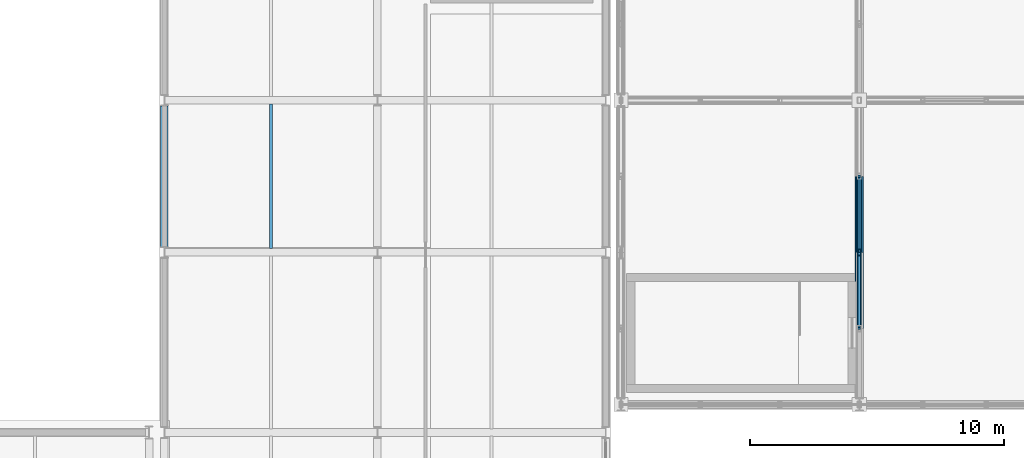
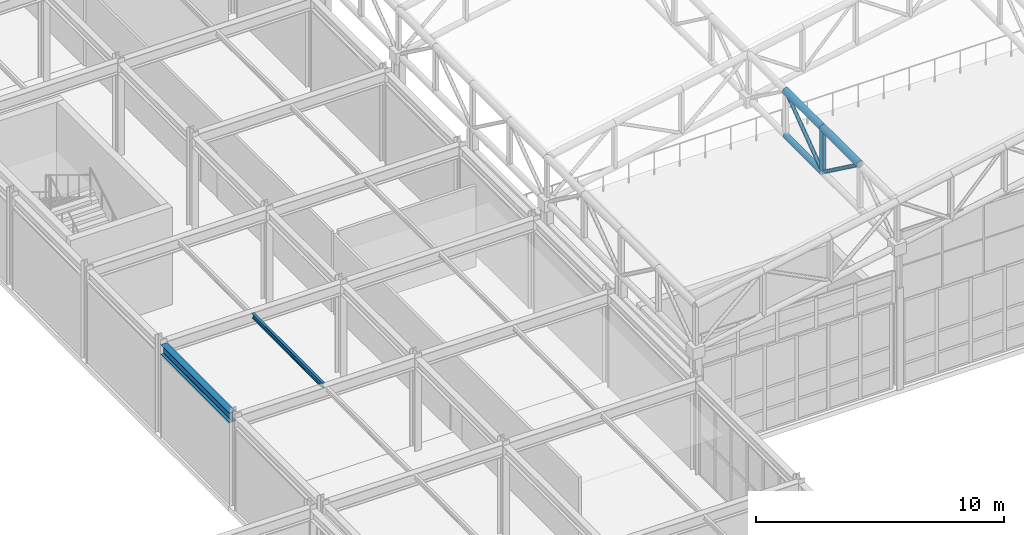
# One storey, part 45 of 112: 6 members, 2 beams.
"""IFC4 building model written with IfcOpenShell, lengths in metres."""

from ifc_helpers import new_model, si_unit, direction, frame, origin, origin_2d, place, context, subcontext, project, spatial, hollow_rectangle, hollow_circle, i_section, extrude, material, material_profile, profile_set, type_object, element, save


model = new_model("IFC4")

# Units and contexts
model_context = context("Model", 3, precision=1e-05, world=origin(), true_north=direction((0.0, 1.0)))
body_context = subcontext(model_context, "Body", "Model", "MODEL_VIEW")
ifc_project = project(units=[si_unit("LENGTHUNIT", "METRE"), si_unit("AREAUNIT", "SQUARE_METRE"), si_unit("VOLUMEUNIT", "CUBIC_METRE"), si_unit("PLANEANGLEUNIT", "RADIAN"), si_unit("MASSUNIT", "GRAM", prefix="KILO")], contexts=[model_context])

# Site, building, storey
site_placement = place(None, origin())
site = spatial("IfcSite", under=ifc_project, at=site_placement, CompositionType="ELEMENT")
building_placement = place(site_placement, origin())
building = spatial("IfcBuilding", under=site, at=building_placement, Name="Kaldris Quays Convention Centre", CompositionType="ELEMENT")
storey_placement = place(building_placement, frame((0.0, 0.0, 16.800048828125)))
storey = spatial("IfcBuildingStorey", under=building, at=storey_placement, Name="L03", CompositionType="ELEMENT", Elevation=16.800048828125)

# Beams
ifc_material_1 = material(Name="Steel S355J2", Category="steel")
ifc_material_profile_1 = material_profile(ifc_material_1, i_section(OverallWidth=0.300048828125, OverallDepth=0.489990234375, WebThickness=0.011962890625, FlangeThickness=0.02294921875, FilletRadius=0.027099609375, at=origin_2d()), Name="HEA 500")
ifc_profile_set_1 = profile_set([ifc_material_profile_1], Name="Steel S355J2")
beam_type_1 = type_object("IfcBeamType", Name="STRUCTURAL BEAM BM09", PredefinedType="BEAM", material=ifc_profile_set_1)
beam_1_placement = place(storey_placement, frame((146.60009765625, 62.218994140625, 4.3349609375), z_axis=(0.0, 1.0, 0.0), x_axis=(-1.0, 0.0, 0.0)))
element("IfcBeam", 1, at=beam_1_placement, inside=storey, type_object=beam_type_1, Name="L03 Girder BM09 69", PredefinedType="BEAM", context=body_context, shape_type="SweptSolid", body=[
    extrude(i_section(OverallWidth=0.300048828125, OverallDepth=0.489990234375, WebThickness=0.011962890625, FlangeThickness=0.02294921875, FilletRadius=0.027099609375, at=origin_2d()), origin(), (0.0, 0.0, 1.0), 5.56201171875),
])
ifc_material_profile_2 = material_profile(ifc_material_1, i_section(OverallWidth=0.1201171875, OverallDepth=0.239990234375, WebThickness=0.006103515625, FlangeThickness=0.009765625, FilletRadius=0.014892578125, at=origin_2d()), Name="IPE 240")
ifc_profile_set_2 = profile_set([ifc_material_profile_2], Name="Steel S355J2")
beam_type_2 = type_object("IfcBeamType", Name="STRUCTURAL BEAM JT05", PredefinedType="JOIST", material=ifc_profile_set_2)
beam_2_placement = place(storey_placement, frame((150.800048828125, 62.14404296875, 4.4599609375), z_axis=(0.0, 1.0, 0.0), x_axis=(-1.0, 0.0, 0.0)))
element("IfcBeam", 2, at=beam_2_placement, inside=storey, type_object=beam_type_2, Name="L03 Secondary Joist JT05 14", PredefinedType="JOIST", context=body_context, shape_type="SweptSolid", body=[
    extrude(i_section(OverallWidth=0.1201171875, OverallDepth=0.239990234375, WebThickness=0.006103515625, FlangeThickness=0.009765625, FilletRadius=0.014892578125, at=origin_2d()), origin(), (0.0, 0.0, 1.0), 5.7119140625),
])

# Members
ifc_material_2 = material(Name="Steel S355J2H", Category="steel")
ifc_material_profile_3 = material_profile(ifc_material_2, hollow_circle(Radius=0.161865234375, WallThickness=0.01611328125, at=origin_2d()), Name="CHS 323.9x16")
ifc_profile_set_3 = profile_set([ifc_material_profile_3], Name="Steel S355J2H")
member_type_1 = type_object("IfcMemberType", Name="STRUCTURAL MEMBER SC03", PredefinedType="CHORD", material=ifc_profile_set_3)
for number, where, z_axis, x_axis, name in (
    (3, (174.0, 59.0, 9.1435546875), (0.0, 1.0, 0.0), (-1.0, 0.0, 0.0), "SF-V2 Top Chord Y 93"),
    (4, (174.0, 62.0, 9.1435546875), (0.0, 1.0, 0.0), (-1.0, 0.0, 0.0), "SF-V2 Top Chord Y 94"),
):
    element("IfcMember", number, at=place(storey_placement, frame(where, z_axis=z_axis, x_axis=x_axis)), inside=storey, type_object=member_type_1, Name=name, PredefinedType="CHORD", context=body_context, shape_type="SweptSolid", body=[
        extrude(hollow_circle(Radius=0.161865234375, WallThickness=0.01611328125, at=origin_2d()), origin(), (0.0, 0.0, 1.0), 3.0),
    ])
ifc_material_profile_4 = material_profile(ifc_material_2, hollow_circle(Radius=0.136474609375, WallThickness=0.012451171875, at=origin_2d()), Name="CHS 273x12.5")
ifc_profile_set_4 = profile_set([ifc_material_profile_4], Name="Steel S355J2H")
member_type_2 = type_object("IfcMemberType", Name="STRUCTURAL MEMBER SC04", PredefinedType="CHORD", material=ifc_profile_set_4)
member_1_placement = place(storey_placement, frame((174.0, 62.0, 6.943603515625), z_axis=(0.0, 1.0, 0.0), x_axis=(-1.0, 0.0, 0.0)))
element("IfcMember", 5, at=member_1_placement, inside=storey, type_object=member_type_2, Name="SF-V2 Bottom Chord Y 94", PredefinedType="CHORD", context=body_context, shape_type="SweptSolid", body=[
    extrude(hollow_circle(Radius=0.136474609375, WallThickness=0.012451171875, at=origin_2d()), origin(), (0.0, 0.0, 1.0), 3.0),
])
ifc_material_profile_5 = material_profile(ifc_material_2, hollow_circle(Radius=0.084228515625, WallThickness=0.008056640625, at=origin_2d()), Name="CHS 168.3x8")
ifc_profile_set_5 = profile_set([ifc_material_profile_5], Name="Steel S355J2H")
member_type_3 = type_object("IfcMemberType", Name="STRUCTURAL MEMBER SWB2", PredefinedType="BRACE", material=ifc_profile_set_5)
for number, where, z_axis, x_axis, name in (
    (6, (174.0, 62.0, 6.943603515625), (0.0, -0.80641125493, 0.591355128432), (1.0, 0.0, 0.0), "SF-V2 Web Diagonal Y 93"),
    (7, (174.0, 62.0, 6.943603515625), (0.0, 0.80641125493, 0.591355128432), (-1.0, 0.0, 0.0), "SF-V2 Web Diagonal Y 94"),
):
    element("IfcMember", number, at=place(storey_placement, frame(where, z_axis=z_axis, x_axis=x_axis)), inside=storey, type_object=member_type_3, Name=name, PredefinedType="BRACE", context=body_context, shape_type="SweptSolid", body=[
        extrude(hollow_circle(Radius=0.084228515625, WallThickness=0.008056640625, at=origin_2d()), origin(), (0.0, 0.0, 1.0), 3.72021484375),
    ])
ifc_material_profile_6 = material_profile(ifc_material_2, hollow_rectangle(XDim=0.14990234375, YDim=0.25, WallThickness=0.010009765625, at=origin_2d()), Name="RHS 250x150x10")
ifc_profile_set_6 = profile_set([ifc_material_profile_6], Name="Steel S355J2H")
member_type_4 = type_object("IfcMemberType", Name="STRUCTURAL MEMBER TTV1", PredefinedType="POST", material=ifc_profile_set_6)
member_2_placement = place(storey_placement, frame((174.0, 62.0, 6.943603515625), z_axis=(0.0, 0.0, 1.0), x_axis=(1.0, 0.0, 0.0)))
element("IfcMember", 8, at=member_2_placement, inside=storey, type_object=member_type_4, Name="SF-V2 Space-Frame Post 30", PredefinedType="POST", context=body_context, shape_type="SweptSolid", body=[
    extrude(hollow_rectangle(XDim=0.14990234375, YDim=0.25, WallThickness=0.010009765625, at=origin_2d()), origin(), (0.0, 0.0, 1.0), 2.199951171875),
])

save(model, "model.ifc")
